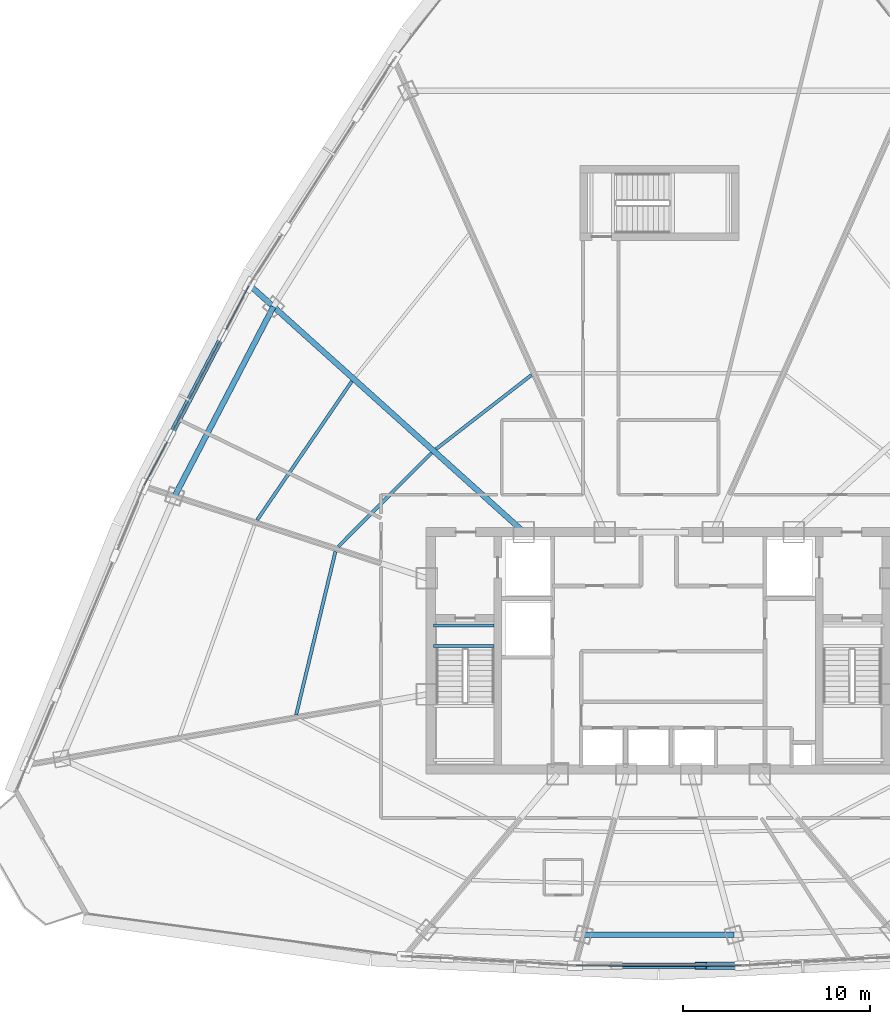
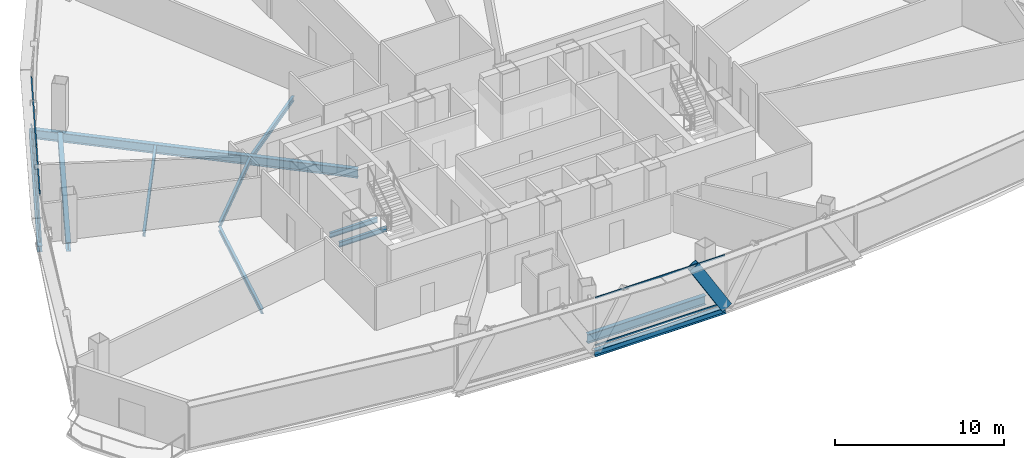
# One storey, part 9 of 37: 11 beams, 5 members, 2 elements without a shape of their own.
"""IFC4 building model written with IfcOpenShell, lengths in metres."""

from ifc_helpers import new_model, si_unit, direction, frame, origin, origin_2d, place, context, subcontext, project, spatial, hollow_rectangle, i_section, extrude, source, transform, mapped, material, layer, layer_set, material_profile, profile_set, type_object, element, aggregate, save


model = new_model("IFC4")

# Units and contexts
model_context = context("Model", 3, precision=1e-05, world=origin(), true_north=direction((0.0, 1.0)))
body_context = subcontext(model_context, "Body", "Model", "MODEL_VIEW")
ifc_project = project(units=[si_unit("LENGTHUNIT", "METRE"), si_unit("AREAUNIT", "SQUARE_METRE"), si_unit("VOLUMEUNIT", "CUBIC_METRE"), si_unit("PLANEANGLEUNIT", "RADIAN"), si_unit("MASSUNIT", "GRAM", prefix="KILO"), si_unit("THERMODYNAMICTEMPERATUREUNIT", "KELVIN"), si_unit("POWERUNIT", "WATT")], contexts=[model_context])

# Site, building, storey
site_placement = place(None, origin())
site = spatial("IfcSite", under=ifc_project, at=site_placement, CompositionType="ELEMENT")
building_placement = place(site_placement, origin())
building = spatial("IfcBuilding", under=site, at=building_placement, Name="Yunzhuo Pagoda Commons", CompositionType="ELEMENT")
storey_placement = place(building_placement, frame((0.0, 0.0, 255.719970703125)))
storey = spatial("IfcBuildingStorey", under=building, at=storey_placement, Name="L64", CompositionType="ELEMENT", Elevation=255.719970703125)

# Beams
ifc_material_1 = material(Name="Structural steel Q355B", Category="steel")
ifc_material_profile_1 = material_profile(ifc_material_1, i_section(OverallWidth=0.175048828125, OverallDepth=0.35009765625, WebThickness=0.007080078125, FlangeThickness=0.010986328125, at=origin_2d()), Name="Structural steel Q355B")
ifc_profile_set_1 = profile_set([ifc_material_profile_1], Name="Structural steel Q355B")
beam_type_1 = type_object("IfcBeamType", Name="B-JS2 Joist HN 350x175x7x11", PredefinedType="JOIST", material=ifc_profile_set_1)
shared_shape_1 = source(origin(), body_context, "Body", "SweptSolid", [
    extrude(i_section(OverallWidth=0.175048828125, OverallDepth=0.35009765625, WebThickness=0.007080078125, FlangeThickness=0.010986328125, at=origin_2d()), origin(), (0.0, 0.0, 1.0), 3.25),
])
for number, where, z_axis, x_axis, name in (
    (1, (35.949951171875, 34.10009765625, -0.375), (1.0, 0.0, 0.0), (0.0, 1.0, 0.0), "L64 ST1 landing support beam 168A"),
    (2, (35.949951171875, 35.199951171875, -0.375), (1.0, 0.0, 0.0), (0.0, 1.0, 0.0), "L64 ST1 landing support beam 168B"),
):
    element("IfcBeam", number, at=place(storey_placement, frame(where, z_axis=z_axis, x_axis=x_axis)), inside=storey, type_object=beam_type_1, Name=name, PredefinedType="JOIST", context=body_context, shape_type="MappedRepresentation", body=[
        mapped(shared_shape_1, transform((0.0, 0.0, 0.0), scale=1.0)),
    ])
ifc_material_profile_2 = material_profile(ifc_material_1, i_section(OverallWidth=0.300048828125, OverallDepth=0.64990234375, WebThickness=0.012939453125, FlangeThickness=0.02197265625, at=origin_2d()), Name="Structural steel Q355B")
ifc_profile_set_2 = profile_set([ifc_material_profile_2], Name="Structural steel Q355B")
beam_type_2 = type_object("IfcBeamType", Name="B-RG2 Beam HN 650x300x13x22", PredefinedType="BEAM", material=ifc_profile_set_2)
shared_shape_2 = source(origin(), body_context, "Body", "SweptSolid", [
    extrude(i_section(OverallWidth=0.300048828125, OverallDepth=0.64990234375, WebThickness=0.012939453125, FlangeThickness=0.02197265625, at=origin_2d()), origin(), (0.0, 0.0, 1.0), 8.06298828125),
])
beam_1_placement = place(storey_placement, frame((43.968505859375, 18.654052734375, -0.5849609375), z_axis=(1.0, 0.0, 0.0), x_axis=(0.0, 1.0, 0.0)))
element("IfcBeam", 3, at=beam_1_placement, inside=storey, type_object=beam_type_2, Name="L64 column-ring beam 2", PredefinedType="BEAM", context=body_context, shape_type="MappedRepresentation", body=[
    mapped(shared_shape_2, transform((0.0, 0.0, 0.0), scale=1.0)),
])
shared_shape_3 = source(origin(), body_context, "Body", "SweptSolid", [
    extrude(i_section(OverallWidth=0.300048828125, OverallDepth=0.64990234375, WebThickness=0.012939453125, FlangeThickness=0.02197265625, at=origin_2d()), origin(), (0.0, 0.0, 1.0), 11.43896484375),
])
beam_2_placement = place(storey_placement, frame((27.38818359375, 52.259033203125, -0.5849609375), z_axis=(-0.462142168026, -0.886805850529, 0.0), x_axis=(0.886805850529, -0.462142168026, 0.0)))
element("IfcBeam", 4, at=beam_2_placement, inside=storey, type_object=beam_type_2, Name="L64 column-ring beam 10", PredefinedType="BEAM", context=body_context, shape_type="MappedRepresentation", body=[
    mapped(shared_shape_3, transform((0.0, 0.0, 0.0), scale=1.0)),
])
shared_shape_4 = source(origin(), body_context, "Body", "SweptSolid", [
    extrude(i_section(OverallWidth=0.175048828125, OverallDepth=0.35009765625, WebThickness=0.007080078125, FlangeThickness=0.010986328125, at=origin_2d()), origin(), (0.0, 0.0, 1.0), 8.973876953125),
])
beam_3_placement = place(storey_placement, frame((30.703369140625, 39.1533203125, -0.43505859375), z_axis=(-0.233807152827, -0.972282991359, 0.0), x_axis=(0.972282991359, -0.233807152827, 0.0)))
element("IfcBeam", 5, at=beam_3_placement, inside=storey, type_object=beam_type_1, Name="L64 composite ring joist 1.11", PredefinedType="JOIST", context=body_context, shape_type="MappedRepresentation", body=[
    mapped(shared_shape_4, transform((0.0, 0.0, 0.0), scale=1.0)),
])
shared_shape_5 = source(origin(), body_context, "Body", "SweptSolid", [
    extrude(i_section(OverallWidth=0.175048828125, OverallDepth=0.35009765625, WebThickness=0.007080078125, FlangeThickness=0.010986328125, at=origin_2d()), origin(), (0.0, 0.0, 1.0), 7.0732421875),
])
beam_4_placement = place(storey_placement, frame((35.847412109375, 44.4287109375, -0.43505859375), z_axis=(-0.706139657206, -0.708072584218, 0.0), x_axis=(0.708072584218, -0.706139657206, 0.0)))
element("IfcBeam", 6, at=beam_4_placement, inside=storey, type_object=beam_type_1, Name="L64 composite ring joist 1.10", PredefinedType="JOIST", context=body_context, shape_type="MappedRepresentation", body=[
    mapped(shared_shape_5, transform((0.0, 0.0, 0.0), scale=1.0)),
])
shared_shape_6 = source(origin(), body_context, "Body", "SweptSolid", [
    extrude(i_section(OverallWidth=0.175048828125, OverallDepth=0.35009765625, WebThickness=0.007080078125, FlangeThickness=0.010986328125, at=origin_2d()), origin(), (0.0, 0.0, 1.0), 8.99365234375),
])
beam_5_placement = place(storey_placement, frame((31.583984375, 48.268798828125, -0.43505859375), z_axis=(-0.564098900337, -0.825707230584, 0.0), x_axis=(0.825707230584, -0.564098900337, 0.0)))
element("IfcBeam", 7, at=beam_5_placement, inside=storey, type_object=beam_type_1, Name="L64 composite ring joist 2.10", PredefinedType="JOIST", context=body_context, shape_type="MappedRepresentation", body=[
    mapped(shared_shape_6, transform((0.0, 0.0, 0.0), scale=1.0)),
])
shared_shape_7 = source(origin(), body_context, "Body", "SweptSolid", [
    extrude(i_section(OverallWidth=0.175048828125, OverallDepth=0.35009765625, WebThickness=0.007080078125, FlangeThickness=0.010986328125, at=origin_2d()), origin(), (0.0, 0.0, 1.0), 6.4677734375),
])
beam_6_placement = place(storey_placement, frame((41.19580078125, 48.602783203125, -0.43505859375), z_axis=(-0.790160481991, -0.612900002202, 0.0), x_axis=(0.612900002202, -0.790160481991, 0.0)))
element("IfcBeam", 8, at=beam_6_placement, inside=storey, type_object=beam_type_1, Name="L64 composite ring joist 1.9", PredefinedType="JOIST", context=body_context, shape_type="MappedRepresentation", body=[
    mapped(shared_shape_7, transform((0.0, 0.0, 0.0), scale=1.0)),
])
shared_shape_8 = source(origin(), body_context, "Body", "SweptSolid", [
    extrude(i_section(OverallWidth=0.300048828125, OverallDepth=0.64990234375, WebThickness=0.012939453125, FlangeThickness=0.02197265625, at=origin_2d()), origin(), (0.0, 0.0, 1.0), 19.60302734375),
])
beam_7_placement = place(storey_placement, frame((26.21337890625, 53.317138671875, -0.5849609375), z_axis=(0.743133733174, -0.669142925405, 0.0), x_axis=(0.669142925405, 0.743133733174, 0.0)))
element("IfcBeam", 9, at=beam_7_placement, inside=storey, type_object=beam_type_2, Name="L64 radial floor girder F3C2", PredefinedType="BEAM", context=body_context, shape_type="MappedRepresentation", body=[
    mapped(shared_shape_8, transform((0.0, 0.0, 0.0), scale=1.0)),
])
ifc_material_profile_3 = material_profile(ifc_material_1, i_section(OverallWidth=0.300048828125, OverallDepth=0.43994140625, WebThickness=0.010986328125, FlangeThickness=0.01806640625, at=origin_2d()), Name="Structural steel Q355B")
ifc_profile_set_3 = profile_set([ifc_material_profile_3], Name="Structural steel Q355B")
beam_type_3 = type_object("IfcBeamType", Name="B-SP2 Beam HM 440x300x11x18", PredefinedType="BEAM", material=ifc_profile_set_3)
shared_shape_9 = source(origin(), body_context, "Body", "SweptSolid", [
    extrude(i_section(OverallWidth=0.300048828125, OverallDepth=0.43994140625, WebThickness=0.010986328125, FlangeThickness=0.01806640625, at=origin_2d()), origin(), (0.0, 0.0, 1.0), 8.947265625),
])
beam_8_placement = place(storey_placement, frame((43.5263671875, 17.004638671875, -0.47998046875), z_axis=(1.0, 0.0, 0.0), x_axis=(0.0, 1.0, 0.0)))
element("IfcBeam", 10, at=beam_8_placement, inside=storey, type_object=beam_type_3, Name="L64 facade edge spandrel beam F1.2", PredefinedType="BEAM", context=body_context, shape_type="MappedRepresentation", body=[
    mapped(shared_shape_9, transform((0.0, 0.0, 0.0), scale=1.0)),
])
shared_shape_10 = source(origin(), body_context, "Body", "SweptSolid", [
    extrude(i_section(OverallWidth=0.300048828125, OverallDepth=0.43994140625, WebThickness=0.010986328125, FlangeThickness=0.01806640625, at=origin_2d()), origin(), (0.0, 0.0, 1.0), 12.15966796875),
])
beam_9_placement = place(storey_placement, frame((26.098388671875, 53.420654296875, -0.47998046875), z_axis=(-0.464198294377, -0.885731304345, 0.0), x_axis=(0.885731304345, -0.464198294377, 0.0)))
element("IfcBeam", 11, at=beam_9_placement, inside=storey, type_object=beam_type_3, Name="L64 facade edge spandrel beam F3.2", PredefinedType="BEAM", context=body_context, shape_type="MappedRepresentation", body=[
    mapped(shared_shape_10, transform((0.0, 0.0, 0.0), scale=1.0)),
])

# Member
ifc_material_profile_4 = material_profile(ifc_material_1, hollow_rectangle(XDim=0.39990234375, YDim=0.719970703125, WallThickness=0.02392578125, at=origin_2d()), Name="Structural steel Q355B")
ifc_profile_set_4 = profile_set([ifc_material_profile_4], Name="Structural steel Q355B")
member_type_1 = type_object("IfcMemberType", Name="M-DL2 Brace BOX 720x400x24", PredefinedType="BRACE", material=ifc_profile_set_4)
shared_shape_11 = source(origin(), body_context, "Body", "SweptSolid", [
    extrude(hollow_rectangle(XDim=0.39990234375, YDim=0.719970703125, WallThickness=0.02392578125, at=origin_2d()), origin(), (0.0, 0.0, 1.0), 4.349365234375),
])
member_1_placement = place(storey_placement, frame((52.4736328125, 17.004638671875, -0.260009765625), z_axis=(-0.514297622499, 0.0, 0.857611774343), x_axis=(0.0, -1.0, 0.0)))
element("IfcMember", 12, at=member_1_placement, inside=storey, type_object=member_type_1, Name="L64 facade diamond brace F1.2R", PredefinedType="BRACE", context=body_context, shape_type="MappedRepresentation", body=[
    mapped(shared_shape_11, transform((0.0, 0.0, 0.0), scale=1.0)),
])

# Curtain wall, members
ifc_material_2 = material(Name="Anodized aluminium 6063-T6", Category="aluminium")
ifc_layer = layer(ifc_material_2, 0.139892578125)
ifc_layer_set = layer_set([ifc_layer], Name="Anodized aluminium 6063-T6")
curtain_wall_type = type_object("IfcCurtainWallType", Name="CW-HI High-Zone Ribbon Curtain Wall", PredefinedType="NOTDEFINED", material=ifc_layer_set)
curtain_wall_1_placement = place(storey_placement, origin())
curtain_wall_1 = element("IfcCurtainWall", 13, at=curtain_wall_1_placement, inside=storey, type_object=curtain_wall_type, Name="L64 curtain wall CW-L64-F1B3", PredefinedType="NOTDEFINED")
ifc_material_profile_5 = material_profile(ifc_material_2, hollow_rectangle(XDim=0.054931640625, YDim=0.1201171875, WallThickness=0.00341796875, at=origin_2d()), Name="Anodized aluminium 6063-T6")
ifc_profile_set_5 = profile_set([ifc_material_profile_5], Name="Anodized aluminium 6063-T6")
member_type_2 = type_object("IfcMemberType", Name="CW-HI-T Transom RHS 120x55x3.5", PredefinedType="USERDEFINED", material=ifc_profile_set_5)
shared_shape_12 = source(origin(), body_context, "Body", "SweptSolid", [
    extrude(hollow_rectangle(XDim=0.054931640625, YDim=0.1201171875, WallThickness=0.00341796875, at=origin_2d()), origin(), (0.0, 0.0, 1.0), 8.8271484375),
])
member_2_placement = place(storey_placement, frame((43.58642578125, 17.004638671875, 0.027587890625), z_axis=(1.0, 0.0, 0.0), x_axis=(0.0, 1.0, 0.0)))
member_2 = element("IfcMember", 14, at=member_2_placement, type_object=member_type_2, Name="CW transom 1.1", ObjectType="TRANSOM", PredefinedType="USERDEFINED", context=body_context, shape_type="MappedRepresentation", body=[
    mapped(shared_shape_12, transform((0.0, 0.0, 0.0), scale=1.0)),
])
member_3_placement = place(storey_placement, frame((43.58642578125, 17.004638671875, 3.442626953125), z_axis=(1.0, 0.0, 0.0), x_axis=(0.0, 1.0, 0.0)))
member_3 = element("IfcMember", 15, at=member_3_placement, type_object=member_type_2, Name="CW transom 1.2", ObjectType="TRANSOM", PredefinedType="USERDEFINED", context=body_context, shape_type="MappedRepresentation", body=[
    mapped(shared_shape_12, transform((0.0, 0.0, 0.0), scale=1.0)),
])
aggregate(curtain_wall_1, [member_2, member_3])

curtain_wall_2_placement = place(storey_placement, origin())
curtain_wall_2 = element("IfcCurtainWall", 16, at=curtain_wall_2_placement, inside=storey, type_object=curtain_wall_type, Name="L64 curtain wall CW-L64-F3B3", PredefinedType="NOTDEFINED")
shared_shape_13 = source(origin(), body_context, "Body", "SweptSolid", [
    extrude(hollow_rectangle(XDim=0.054931640625, YDim=0.1201171875, WallThickness=0.00341796875, at=origin_2d()), origin(), (0.0, 0.0, 1.0), 12.039794921875),
])
member_4_placement = place(storey_placement, frame((26.070556640625, 53.367431640625, 0.027587890625), z_axis=(-0.464182018036, -0.885739834337, 0.0), x_axis=(0.885739834337, -0.464182018036, 0.0)))
member_4 = element("IfcMember", 17, at=member_4_placement, type_object=member_type_2, Name="CW transom 1.1", ObjectType="TRANSOM", PredefinedType="USERDEFINED", context=body_context, shape_type="MappedRepresentation", body=[
    mapped(shared_shape_13, transform((0.0, 0.0, 0.0), scale=1.0)),
])
member_5_placement = place(storey_placement, frame((26.070556640625, 53.367431640625, 3.442626953125), z_axis=(-0.464182018036, -0.885739834337, 0.0), x_axis=(0.885739834337, -0.464182018036, 0.0)))
member_5 = element("IfcMember", 18, at=member_5_placement, type_object=member_type_2, Name="CW transom 1.2", ObjectType="TRANSOM", PredefinedType="USERDEFINED", context=body_context, shape_type="MappedRepresentation", body=[
    mapped(shared_shape_13, transform((0.0, 0.0, 0.0), scale=1.0)),
])
aggregate(curtain_wall_2, [member_4, member_5])

save(model, "model.ifc")
